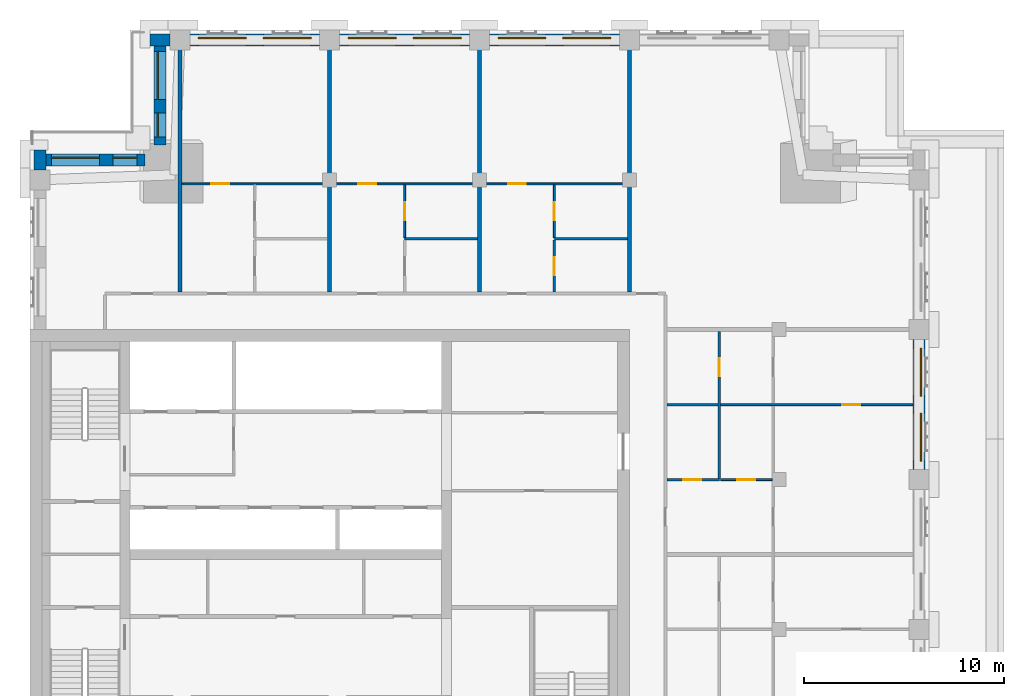
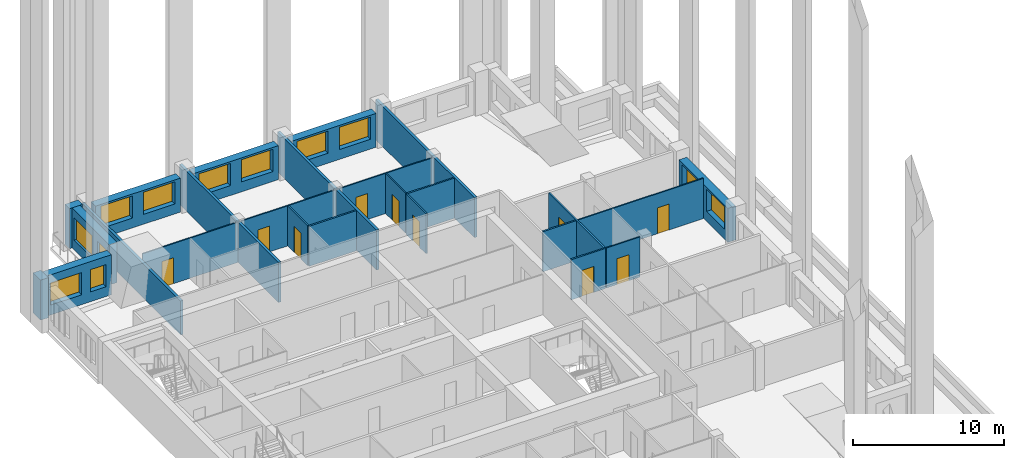
# One storey, part 7 of 12: 23 walls, 12 windows, 10 doors, 22 openings.
"""IFC4 building model written with IfcOpenShell, lengths in metres."""

from ifc_helpers import new_model, si_unit, direction, frame, frame_2d, origin, place, context, subcontext, project, spatial, rectangle, extrude, material, layer, layer_set, type_object, element, fill, save


model = new_model("IFC4")

# Units and contexts
model_context = context("Model", 3, precision=1e-05, world=origin(), true_north=direction((0.0, 1.0)))
body_context = subcontext(model_context, "Body", "Model", "MODEL_VIEW")
ifc_project = project(units=[si_unit("LENGTHUNIT", "METRE"), si_unit("AREAUNIT", "SQUARE_METRE"), si_unit("VOLUMEUNIT", "CUBIC_METRE"), si_unit("PLANEANGLEUNIT", "RADIAN"), si_unit("MASSUNIT", "GRAM", prefix="KILO")], contexts=[model_context])

# Site, building, storey
site_placement = place(None, origin())
site = spatial("IfcSite", under=ifc_project, at=site_placement, CompositionType="ELEMENT")
building_placement = place(site_placement, origin())
building = spatial("IfcBuilding", under=site, at=building_placement, Name="Tamorin Gate", CompositionType="ELEMENT")
storey_placement = place(building_placement, frame((0.0, 0.0, 266.199951171875)))
storey = spatial("IfcBuildingStorey", under=building, at=storey_placement, Name="L66", CompositionType="ELEMENT", Elevation=266.199951171875)

# Wall, openings, windows
ifc_material_1 = material(Name="Precast concrete C40/50", Category="concrete")
ifc_layer_1 = layer(ifc_material_1, 0.60009765625)
ifc_layer_set_1 = layer_set([ifc_layer_1], Name="Precast concrete C40/50")
wall_type_1 = type_object("IfcWallType", Name="Board-marked concrete facade panel 600", PredefinedType="SOLIDWALL", material=ifc_layer_set_1)
wall_1_placement = place(storey_placement, frame((74.5, 75.5, 0.0), z_axis=(0.0, 0.0, 1.0), x_axis=(0.0, 1.0, 0.0)))
wall_1 = element("IfcWall", 1, at=wall_1_placement, inside=storey, type_object=wall_type_1, Name="Facade panel", PredefinedType="SOLIDWALL", context=body_context, shape_type="SweptSolid", body=[
    extrude(rectangle(XDim=6.5, YDim=0.60009765625, at=frame_2d((3.25, 0.0))), origin(), (0.0, 0.0, 1.0), 2.75),
])
opening_1_placement = place(wall_1_placement, frame((0.425048828125, 0.0, 0.800048828125)))
opening_1 = element("IfcOpeningElement", 2, at=opening_1_placement, cuts=wall_1, Name="Opening WN1", PredefinedType="OPENING", context=body_context, shape_type="SweptSolid", body=[
    extrude(rectangle(XDim=2.39990234375, YDim=1.800048828125, at=frame_2d((1.199951171875, 0.89990234375))), frame((0.0, 0.31005859375, 0.0), z_axis=(0.0, -1.0, 0.0), x_axis=(1.0, 0.0, 0.0)), (0.0, 0.0, 1.0), 0.6201171875),
])
opening_2_placement = place(wall_1_placement, frame((3.675048828125, 0.0, 0.800048828125)))
opening_2 = element("IfcOpeningElement", 3, at=opening_2_placement, cuts=wall_1, Name="Opening WN1", PredefinedType="OPENING", context=body_context, shape_type="SweptSolid", body=[
    extrude(rectangle(XDim=2.39990234375, YDim=1.800048828125, at=frame_2d((1.199951171875, 0.89990234375))), frame((0.0, 0.31005859375, 0.0), z_axis=(0.0, -1.0, 0.0), x_axis=(1.0, 0.0, 0.0)), (0.0, 0.0, 1.0), 0.6201171875),
])
ifc_material_2 = material(Name="Clear glass in aluminium frame", Category="aluminium")
window_type_1 = type_object("IfcWindowType", Name="Deep-set window 2400x1800", PartitioningType="SINGLE_PANEL", PredefinedType="WINDOW", material=ifc_material_2)
window_1_placement = place(opening_1_placement, origin())
window_1 = element("IfcWindow", 4, at=window_1_placement, inside=storey, type_object=window_type_1, Name="Deep-set window", OverallHeight=1.800048828125, OverallWidth=2.39990234375, PartitioningType="SINGLE_PANEL", PredefinedType="WINDOW", context=body_context, shape_type="SweptSolid", body=[
    extrude(rectangle(XDim=2.39990234375, YDim=1.800048828125, at=frame_2d((1.199951171875, 0.89990234375))), frame((0.0, -0.070068359375, 0.0), z_axis=(0.0, -1.0, 0.0), x_axis=(1.0, 0.0, 0.0)), (0.0, 0.0, 1.0), 0.06005859375),
])
fill(opening_1, window_1)
window_2_placement = place(opening_2_placement, origin())
window_2 = element("IfcWindow", 5, at=window_2_placement, inside=storey, type_object=window_type_1, Name="Deep-set window", OverallHeight=1.800048828125, OverallWidth=2.39990234375, PartitioningType="SINGLE_PANEL", PredefinedType="WINDOW", context=body_context, shape_type="SweptSolid", body=[
    extrude(rectangle(XDim=2.39990234375, YDim=1.800048828125, at=frame_2d((1.199951171875, 0.89990234375))), frame((0.0, -0.070068359375, 0.0), z_axis=(0.0, -1.0, 0.0), x_axis=(1.0, 0.0, 0.0)), (0.0, 0.0, 1.0), 0.06005859375),
])
fill(opening_2, window_2)

wall_2_placement = place(storey_placement, frame((59.5, 97.0, 0.0), z_axis=(0.0, 0.0, 1.0), x_axis=(-1.0, 0.0, 0.0)))
wall_2 = element("IfcWall", 6, at=wall_2_placement, inside=storey, type_object=wall_type_1, Name="Facade panel", PredefinedType="SOLIDWALL", context=body_context, shape_type="SweptSolid", body=[
    extrude(rectangle(XDim=6.5, YDim=0.60009765625, at=frame_2d((3.25, 0.0))), origin(), (0.0, 0.0, 1.0), 2.75),
])
opening_3_placement = place(wall_2_placement, frame((3.675048828125, 0.0, 0.800048828125)))
opening_3 = element("IfcOpeningElement", 7, at=opening_3_placement, cuts=wall_2, Name="Opening WN1", PredefinedType="OPENING", context=body_context, shape_type="SweptSolid", body=[
    extrude(rectangle(XDim=2.39990234375, YDim=1.800048828125, at=frame_2d((1.199951171875, 0.89990234375))), frame((0.0, 0.31005859375, 0.0), z_axis=(0.0, -1.0, 0.0), x_axis=(1.0, 0.0, 0.0)), (0.0, 0.0, 1.0), 0.6201171875),
])
opening_4_placement = place(wall_2_placement, frame((0.425048828125, 0.0, 0.800048828125)))
opening_4 = element("IfcOpeningElement", 8, at=opening_4_placement, cuts=wall_2, Name="Opening WN1", PredefinedType="OPENING", context=body_context, shape_type="SweptSolid", body=[
    extrude(rectangle(XDim=2.39990234375, YDim=1.800048828125, at=frame_2d((1.199951171875, 0.89990234375))), frame((0.0, 0.31005859375, 0.0), z_axis=(0.0, -1.0, 0.0), x_axis=(1.0, 0.0, 0.0)), (0.0, 0.0, 1.0), 0.6201171875),
])
window_3_placement = place(opening_3_placement, origin())
window_3 = element("IfcWindow", 9, at=window_3_placement, inside=storey, type_object=window_type_1, Name="Deep-set window", OverallHeight=1.800048828125, OverallWidth=2.39990234375, PartitioningType="SINGLE_PANEL", PredefinedType="WINDOW", context=body_context, shape_type="SweptSolid", body=[
    extrude(rectangle(XDim=2.39990234375, YDim=1.800048828125, at=frame_2d((1.199951171875, 0.89990234375))), frame((0.0, -0.070068359375, 0.0), z_axis=(0.0, -1.0, 0.0), x_axis=(1.0, 0.0, 0.0)), (0.0, 0.0, 1.0), 0.06005859375),
])
fill(opening_3, window_3)
window_4_placement = place(opening_4_placement, origin())
window_4 = element("IfcWindow", 10, at=window_4_placement, inside=storey, type_object=window_type_1, Name="Deep-set window", OverallHeight=1.800048828125, OverallWidth=2.39990234375, PartitioningType="SINGLE_PANEL", PredefinedType="WINDOW", context=body_context, shape_type="SweptSolid", body=[
    extrude(rectangle(XDim=2.39990234375, YDim=1.800048828125, at=frame_2d((1.199951171875, 0.89990234375))), frame((0.0, -0.070068359375, 0.0), z_axis=(0.0, -1.0, 0.0), x_axis=(1.0, 0.0, 0.0)), (0.0, 0.0, 1.0), 0.06005859375),
])
fill(opening_4, window_4)

wall_3_placement = place(storey_placement, frame((52.0, 97.0, 0.0), z_axis=(0.0, 0.0, 1.0), x_axis=(-1.0, 0.0, 0.0)))
wall_3 = element("IfcWall", 11, at=wall_3_placement, inside=storey, type_object=wall_type_1, Name="Facade panel", PredefinedType="SOLIDWALL", context=body_context, shape_type="SweptSolid", body=[
    extrude(rectangle(XDim=6.5, YDim=0.60009765625, at=frame_2d((3.25, 0.0))), origin(), (0.0, 0.0, 1.0), 2.75),
])
opening_5_placement = place(wall_3_placement, frame((3.675048828125, 0.0, 0.800048828125)))
opening_5 = element("IfcOpeningElement", 12, at=opening_5_placement, cuts=wall_3, Name="Opening WN1", PredefinedType="OPENING", context=body_context, shape_type="SweptSolid", body=[
    extrude(rectangle(XDim=2.39990234375, YDim=1.800048828125, at=frame_2d((1.199951171875, 0.89990234375))), frame((0.0, 0.31005859375, 0.0), z_axis=(0.0, -1.0, 0.0), x_axis=(1.0, 0.0, 0.0)), (0.0, 0.0, 1.0), 0.6201171875),
])
opening_6_placement = place(wall_3_placement, frame((0.425048828125, 0.0, 0.800048828125)))
opening_6 = element("IfcOpeningElement", 13, at=opening_6_placement, cuts=wall_3, Name="Opening WN1", PredefinedType="OPENING", context=body_context, shape_type="SweptSolid", body=[
    extrude(rectangle(XDim=2.39990234375, YDim=1.800048828125, at=frame_2d((1.199951171875, 0.89990234375))), frame((0.0, 0.31005859375, 0.0), z_axis=(0.0, -1.0, 0.0), x_axis=(1.0, 0.0, 0.0)), (0.0, 0.0, 1.0), 0.6201171875),
])
window_5_placement = place(opening_5_placement, origin())
window_5 = element("IfcWindow", 14, at=window_5_placement, inside=storey, type_object=window_type_1, Name="Deep-set window", OverallHeight=1.800048828125, OverallWidth=2.39990234375, PartitioningType="SINGLE_PANEL", PredefinedType="WINDOW", context=body_context, shape_type="SweptSolid", body=[
    extrude(rectangle(XDim=2.39990234375, YDim=1.800048828125, at=frame_2d((1.199951171875, 0.89990234375))), frame((0.0, -0.070068359375, 0.0), z_axis=(0.0, -1.0, 0.0), x_axis=(1.0, 0.0, 0.0)), (0.0, 0.0, 1.0), 0.06005859375),
])
fill(opening_5, window_5)
window_6_placement = place(opening_6_placement, origin())
window_6 = element("IfcWindow", 15, at=window_6_placement, inside=storey, type_object=window_type_1, Name="Deep-set window", OverallHeight=1.800048828125, OverallWidth=2.39990234375, PartitioningType="SINGLE_PANEL", PredefinedType="WINDOW", context=body_context, shape_type="SweptSolid", body=[
    extrude(rectangle(XDim=2.39990234375, YDim=1.800048828125, at=frame_2d((1.199951171875, 0.89990234375))), frame((0.0, -0.070068359375, 0.0), z_axis=(0.0, -1.0, 0.0), x_axis=(1.0, 0.0, 0.0)), (0.0, 0.0, 1.0), 0.06005859375),
])
fill(opening_6, window_6)

wall_4_placement = place(storey_placement, frame((44.5, 97.0, 0.0), z_axis=(0.0, 0.0, 1.0), x_axis=(-1.0, 0.0, 0.0)))
wall_4 = element("IfcWall", 16, at=wall_4_placement, inside=storey, type_object=wall_type_1, Name="Facade panel", PredefinedType="SOLIDWALL", context=body_context, shape_type="SweptSolid", body=[
    extrude(rectangle(XDim=6.5, YDim=0.60009765625, at=frame_2d((3.25, 0.0))), origin(), (0.0, 0.0, 1.0), 2.75),
])
opening_7_placement = place(wall_4_placement, frame((3.675048828125, 0.0, 0.800048828125)))
opening_7 = element("IfcOpeningElement", 17, at=opening_7_placement, cuts=wall_4, Name="Opening WN1", PredefinedType="OPENING", context=body_context, shape_type="SweptSolid", body=[
    extrude(rectangle(XDim=2.39990234375, YDim=1.800048828125, at=frame_2d((1.199951171875, 0.89990234375))), frame((0.0, 0.31005859375, 0.0), z_axis=(0.0, -1.0, 0.0), x_axis=(1.0, 0.0, 0.0)), (0.0, 0.0, 1.0), 0.6201171875),
])
opening_8_placement = place(wall_4_placement, frame((0.425048828125, 0.0, 0.800048828125)))
opening_8 = element("IfcOpeningElement", 18, at=opening_8_placement, cuts=wall_4, Name="Opening WN1", PredefinedType="OPENING", context=body_context, shape_type="SweptSolid", body=[
    extrude(rectangle(XDim=2.39990234375, YDim=1.800048828125, at=frame_2d((1.199951171875, 0.89990234375))), frame((0.0, 0.31005859375, 0.0), z_axis=(0.0, -1.0, 0.0), x_axis=(1.0, 0.0, 0.0)), (0.0, 0.0, 1.0), 0.6201171875),
])
window_7_placement = place(opening_7_placement, origin())
window_7 = element("IfcWindow", 19, at=window_7_placement, inside=storey, type_object=window_type_1, Name="Deep-set window", OverallHeight=1.800048828125, OverallWidth=2.39990234375, PartitioningType="SINGLE_PANEL", PredefinedType="WINDOW", context=body_context, shape_type="SweptSolid", body=[
    extrude(rectangle(XDim=2.39990234375, YDim=1.800048828125, at=frame_2d((1.199951171875, 0.89990234375))), frame((0.0, -0.070068359375, 0.0), z_axis=(0.0, -1.0, 0.0), x_axis=(1.0, 0.0, 0.0)), (0.0, 0.0, 1.0), 0.06005859375),
])
fill(opening_7, window_7)
window_8_placement = place(opening_8_placement, origin())
window_8 = element("IfcWindow", 20, at=window_8_placement, inside=storey, type_object=window_type_1, Name="Deep-set window", OverallHeight=1.800048828125, OverallWidth=2.39990234375, PartitioningType="SINGLE_PANEL", PredefinedType="WINDOW", context=body_context, shape_type="SweptSolid", body=[
    extrude(rectangle(XDim=2.39990234375, YDim=1.800048828125, at=frame_2d((1.199951171875, 0.89990234375))), frame((0.0, -0.070068359375, 0.0), z_axis=(0.0, -1.0, 0.0), x_axis=(1.0, 0.0, 0.0)), (0.0, 0.0, 1.0), 0.06005859375),
])
fill(opening_8, window_8)

# Wall
wall_5_placement = place(storey_placement, frame((37.0, 97.0, 0.0), z_axis=(0.0, 0.0, 1.0), x_axis=(-1.0, 0.0, 0.0)))
element("IfcWall", 21, at=wall_5_placement, inside=storey, type_object=wall_type_1, Name="Facade panel", PredefinedType="SOLIDWALL", context=body_context, shape_type="SweptSolid", body=[
    extrude(rectangle(XDim=1.0, YDim=0.60009765625, at=frame_2d((0.5, 0.0))), origin(), (0.0, 0.0, 1.0), 3.25),
])

# Wall, openings, windows
wall_6_placement = place(storey_placement, frame((36.5, 96.699951171875, 0.0), z_axis=(0.0, 0.0, 1.0), x_axis=(0.0, -1.0, 0.0)))
wall_6 = element("IfcWall", 22, at=wall_6_placement, inside=storey, type_object=wall_type_1, Name="Facade panel", PredefinedType="SOLIDWALL", context=body_context, shape_type="SweptSolid", body=[
    extrude(rectangle(XDim=4.949951171875, YDim=0.60009765625, at=frame_2d((2.47509765625, 0.0))), origin(), (0.0, 0.0, 1.0), 3.25),
])
opening_9_placement = place(wall_6_placement, frame((3.35009765625, 0.0, 0.800048828125)))
opening_9 = element("IfcOpeningElement", 23, at=opening_9_placement, cuts=wall_6, Name="Opening WN3", PredefinedType="OPENING", context=body_context, shape_type="SweptSolid", body=[
    extrude(rectangle(XDim=1.199951171875, YDim=1.800048828125, at=frame_2d((0.60009765625, 0.89990234375))), frame((0.0, 0.31005859375, 0.0), z_axis=(0.0, -1.0, 0.0), x_axis=(1.0, 0.0, 0.0)), (0.0, 0.0, 1.0), 0.6201171875),
])
opening_10_placement = place(wall_6_placement, frame((0.27490234375, 0.0, 0.800048828125)))
opening_10 = element("IfcOpeningElement", 24, at=opening_10_placement, cuts=wall_6, Name="Opening WN1", PredefinedType="OPENING", context=body_context, shape_type="SweptSolid", body=[
    extrude(rectangle(XDim=2.39990234375, YDim=1.800048828125, at=frame_2d((1.199951171875, 0.89990234375))), frame((0.0, 0.31005859375, 0.0), z_axis=(0.0, -1.0, 0.0), x_axis=(1.0, 0.0, 0.0)), (0.0, 0.0, 1.0), 0.6201171875),
])
window_type_2 = type_object("IfcWindowType", Name="Deep-set window 1200x1800", PartitioningType="SINGLE_PANEL", PredefinedType="WINDOW", material=ifc_material_2)
window_9_placement = place(opening_9_placement, origin())
window_9 = element("IfcWindow", 25, at=window_9_placement, inside=storey, type_object=window_type_2, Name="Deep-set window", OverallHeight=1.800048828125, OverallWidth=1.199951171875, PartitioningType="SINGLE_PANEL", PredefinedType="WINDOW", context=body_context, shape_type="SweptSolid", body=[
    extrude(rectangle(XDim=1.199951171875, YDim=1.800048828125, at=frame_2d((0.60009765625, 0.89990234375))), frame((0.0, -0.070068359375, 0.0), z_axis=(0.0, -1.0, 0.0), x_axis=(1.0, 0.0, 0.0)), (0.0, 0.0, 1.0), 0.06005859375),
])
fill(opening_9, window_9)
window_10_placement = place(opening_10_placement, origin())
window_10 = element("IfcWindow", 26, at=window_10_placement, inside=storey, type_object=window_type_1, Name="Deep-set window", OverallHeight=1.800048828125, OverallWidth=2.39990234375, PartitioningType="SINGLE_PANEL", PredefinedType="WINDOW", context=body_context, shape_type="SweptSolid", body=[
    extrude(rectangle(XDim=2.39990234375, YDim=1.800048828125, at=frame_2d((1.199951171875, 0.89990234375))), frame((0.0, -0.070068359375, 0.0), z_axis=(0.0, -1.0, 0.0), x_axis=(1.0, 0.0, 0.0)), (0.0, 0.0, 1.0), 0.06005859375),
])
fill(opening_10, window_10)

wall_7_placement = place(storey_placement, frame((35.75, 91.0, 0.0), z_axis=(0.0, 0.0, 1.0), x_axis=(-1.0, 0.0, 0.0)))
wall_7 = element("IfcWall", 27, at=wall_7_placement, inside=storey, type_object=wall_type_1, Name="Facade panel", PredefinedType="SOLIDWALL", context=body_context, shape_type="SweptSolid", body=[
    extrude(rectangle(XDim=4.949951171875, YDim=0.60009765625, at=frame_2d((2.47509765625, 0.0))), origin(), (0.0, 0.0, 1.0), 3.25),
])
opening_11_placement = place(wall_7_placement, frame((2.27490234375, 0.0, 0.800048828125)))
opening_11 = element("IfcOpeningElement", 28, at=opening_11_placement, cuts=wall_7, Name="Opening WN1", PredefinedType="OPENING", context=body_context, shape_type="SweptSolid", body=[
    extrude(rectangle(XDim=2.39990234375, YDim=1.800048828125, at=frame_2d((1.199951171875, 0.89990234375))), frame((0.0, 0.31005859375, 0.0), z_axis=(0.0, -1.0, 0.0), x_axis=(1.0, 0.0, 0.0)), (0.0, 0.0, 1.0), 0.6201171875),
])
opening_12_placement = place(wall_7_placement, frame((0.39990234375, 0.0, 0.800048828125)))
opening_12 = element("IfcOpeningElement", 29, at=opening_12_placement, cuts=wall_7, Name="Opening WN3", PredefinedType="OPENING", context=body_context, shape_type="SweptSolid", body=[
    extrude(rectangle(XDim=1.199951171875, YDim=1.800048828125, at=frame_2d((0.60009765625, 0.89990234375))), frame((0.0, 0.31005859375, 0.0), z_axis=(0.0, -1.0, 0.0), x_axis=(1.0, 0.0, 0.0)), (0.0, 0.0, 1.0), 0.6201171875),
])
window_11_placement = place(opening_12_placement, origin())
window_11 = element("IfcWindow", 30, at=window_11_placement, inside=storey, type_object=window_type_2, Name="Deep-set window", OverallHeight=1.800048828125, OverallWidth=1.199951171875, PartitioningType="SINGLE_PANEL", PredefinedType="WINDOW", context=body_context, shape_type="SweptSolid", body=[
    extrude(rectangle(XDim=1.199951171875, YDim=1.800048828125, at=frame_2d((0.60009765625, 0.89990234375))), frame((0.0, -0.070068359375, 0.0), z_axis=(0.0, -1.0, 0.0), x_axis=(1.0, 0.0, 0.0)), (0.0, 0.0, 1.0), 0.06005859375),
])
fill(opening_12, window_11)
window_12_placement = place(opening_11_placement, origin())
window_12 = element("IfcWindow", 31, at=window_12_placement, inside=storey, type_object=window_type_1, Name="Deep-set window", OverallHeight=1.800048828125, OverallWidth=2.39990234375, PartitioningType="SINGLE_PANEL", PredefinedType="WINDOW", context=body_context, shape_type="SweptSolid", body=[
    extrude(rectangle(XDim=2.39990234375, YDim=1.800048828125, at=frame_2d((1.199951171875, 0.89990234375))), frame((0.0, -0.070068359375, 0.0), z_axis=(0.0, -1.0, 0.0), x_axis=(1.0, 0.0, 0.0)), (0.0, 0.0, 1.0), 0.06005859375),
])
fill(opening_11, window_12)

# Walls
wall_8_placement = place(storey_placement, frame((30.5, 91.5, 0.0), z_axis=(0.0, 0.0, 1.0), x_axis=(0.0, -1.0, 0.0)))
element("IfcWall", 32, at=wall_8_placement, inside=storey, type_object=wall_type_1, Name="Facade panel", PredefinedType="SOLIDWALL", context=body_context, shape_type="SweptSolid", body=[
    extrude(rectangle(XDim=1.0, YDim=0.60009765625, at=frame_2d((0.5, 0.0))), origin(), (0.0, 0.0, 1.0), 3.25),
])
ifc_material_3 = material(Name="Gypsum board partition")
ifc_layer_2 = layer(ifc_material_3, 0.199951171875)
ifc_layer_set_2 = layer_set([ifc_layer_2], Name="Demising wall 200")
wall_type_2 = type_object("IfcWallType", Name="Demising wall 200", PredefinedType="PARTITIONING", material=ifc_layer_set_2)
wall_9_placement = place(storey_placement, frame((37.5, 84.375, 0.0), z_axis=(0.0, 0.0, 1.0), x_axis=(0.0, 1.0, 0.0)))
element("IfcWall", 33, at=wall_9_placement, inside=storey, type_object=wall_type_2, Name="Demising wall 200", PredefinedType="PARTITIONING", context=body_context, shape_type="SweptSolid", body=[
    extrude(rectangle(XDim=13.125, YDim=0.199951171875, at=frame_2d((6.5625, 0.0))), origin(), (0.0, 0.0, 1.0), 2.75),
])
for number, where, z_axis, x_axis, name in (
    (34, (45.0, 84.375, 0.0), (0.0, 0.0, 1.0), (0.0, 1.0, 0.0), "Demising wall 200"),
    (35, (52.5, 84.375, 0.0), (0.0, 0.0, 1.0), (0.0, 1.0, 0.0), "Demising wall 200"),
    (36, (60.0, 84.375, 0.0), (0.0, 0.0, 1.0), (0.0, 1.0, 0.0), "Demising wall 200"),
):
    element("IfcWall", number, at=place(storey_placement, frame(where, z_axis=z_axis, x_axis=x_axis)), inside=storey, type_object=wall_type_2, Name=name, PredefinedType="PARTITIONING", context=body_context, shape_type="SweptSolid", body=[
        extrude(rectangle(XDim=13.125, YDim=0.199951171875, at=frame_2d((6.5625, 0.0))), origin(), (0.0, 0.0, 1.0), 3.25),
    ])

# Wall, opening, door
ifc_layer_3 = layer(ifc_material_3, 0.10009765625)
ifc_layer_set_3 = layer_set([ifc_layer_3], Name="Room partition 100")
wall_type_3 = type_object("IfcWallType", Name="Room partition 100", PredefinedType="PARTITIONING", material=ifc_layer_set_3)
wall_10_placement = place(storey_placement, frame((64.5625, 75.0, 0.0), z_axis=(0.0, 0.0, 1.0), x_axis=(1.0, 0.0, 0.0)))
wall_10 = element("IfcWall", 37, at=wall_10_placement, inside=storey, type_object=wall_type_3, Name="Room partition 100", PredefinedType="PARTITIONING", context=body_context, shape_type="SweptSolid", body=[
    extrude(rectangle(XDim=2.58740234375, YDim=0.10009765625, at=frame_2d((1.293701171875, 0.0))), origin(), (0.0, 0.0, 1.0), 3.25),
])
opening_13_placement = place(wall_10_placement, frame((0.83740234375, 0.0, 0.0)))
opening_13 = element("IfcOpeningElement", 38, at=opening_13_placement, cuts=wall_10, Name="Opening DTF6037", PredefinedType="OPENING", context=body_context, shape_type="SweptSolid", body=[
    extrude(rectangle(XDim=0.89990234375, YDim=2.10009765625, at=frame_2d((0.449951171875, 1.050048828125))), frame((0.0, 0.06005859375, 0.0), z_axis=(0.0, -1.0, 0.0), x_axis=(1.0, 0.0, 0.0)), (0.0, 0.0, 1.0), 0.1201171875),
])
ifc_material_4 = material(Name="Timber door leaf", Category="wood")
door_type = type_object("IfcDoorType", Name="Door 900 x 2100", OperationType="NOTDEFINED", PredefinedType="DOOR", material=ifc_material_4)
door_1_placement = place(opening_13_placement, origin())
door_1 = element("IfcDoor", 39, at=door_1_placement, inside=storey, type_object=door_type, Name="Door DTF6037", OperationType="SINGLE_SWING_LEFT", OverallHeight=2.10009765625, OverallWidth=0.89990234375, PredefinedType="DOOR", context=body_context, shape_type="SweptSolid", body=[
    extrude(rectangle(XDim=0.89990234375, YDim=2.10009765625, at=frame_2d((0.449951171875, 1.050048828125))), frame((0.0, 0.02490234375, 0.0), z_axis=(0.0, -1.0, 0.0), x_axis=(1.0, 0.0, 0.0)), (0.0, 0.0, 1.0), 0.050048828125),
])
fill(opening_13, door_1)

wall_11_placement = place(storey_placement, frame((64.5625, 78.75, 0.0), z_axis=(0.0, 0.0, 1.0), x_axis=(1.0, 0.0, 0.0)))
wall_11 = element("IfcWall", 40, at=wall_11_placement, inside=storey, type_object=wall_type_3, Name="Room partition 100", PredefinedType="PARTITIONING", context=body_context, shape_type="SweptSolid", body=[
    extrude(rectangle(XDim=9.62744140625, YDim=0.10009765625, at=frame_2d((4.813720703125, 0.0))), origin(), (0.0, 0.0, 1.0), 3.25),
])
opening_14_placement = place(wall_11_placement, frame((6.08740234375, 0.0, 0.0)))
opening_14 = element("IfcOpeningElement", 41, at=opening_14_placement, cuts=wall_11, Name="Opening DTF6041", PredefinedType="OPENING", context=body_context, shape_type="SweptSolid", body=[
    extrude(rectangle(XDim=0.89990234375, YDim=2.10009765625, at=frame_2d((0.449951171875, 1.050048828125))), frame((0.0, 0.06005859375, 0.0), z_axis=(0.0, -1.0, 0.0), x_axis=(1.0, 0.0, 0.0)), (0.0, 0.0, 1.0), 0.1201171875),
])
door_2_placement = place(opening_14_placement, origin())
door_2 = element("IfcDoor", 42, at=door_2_placement, inside=storey, type_object=door_type, Name="Door DTF6041", OperationType="SINGLE_SWING_RIGHT", OverallHeight=2.10009765625, OverallWidth=0.89990234375, PredefinedType="DOOR", context=body_context, shape_type="SweptSolid", body=[
    extrude(rectangle(XDim=0.89990234375, YDim=2.10009765625, at=frame_2d((0.449951171875, 1.050048828125))), frame((0.0, 0.02490234375, 0.0), z_axis=(0.0, -1.0, 0.0), x_axis=(1.0, 0.0, 0.0)), (0.0, 0.0, 1.0), 0.050048828125),
])
fill(opening_14, door_2)

# Wall, openings, doors
wall_12_placement = place(storey_placement, frame((37.60009765625, 89.800048828125, 0.0), z_axis=(0.0, 0.0, 1.0), x_axis=(1.0, 0.0, 0.0)))
wall_12 = element("IfcWall", 43, at=wall_12_placement, inside=storey, type_object=wall_type_3, Name="Room partition 100", PredefinedType="PARTITIONING", context=body_context, shape_type="SweptSolid", body=[
    extrude(rectangle(XDim=22.2998046875, YDim=0.10009765625, at=frame_2d((11.14990234375, 0.0))), origin(), (0.0, 0.0, 1.0), 3.25),
])
opening_15_placement = place(wall_12_placement, frame((1.47509765625, 0.0, 0.0)))
opening_15 = element("IfcOpeningElement", 44, at=opening_15_placement, cuts=wall_12, Name="Opening DTF6016", PredefinedType="OPENING", context=body_context, shape_type="SweptSolid", body=[
    extrude(rectangle(XDim=0.89990234375, YDim=2.10009765625, at=frame_2d((0.449951171875, 1.050048828125))), frame((0.0, 0.06005859375, 0.0), z_axis=(0.0, -1.0, 0.0), x_axis=(1.0, 0.0, 0.0)), (0.0, 0.0, 1.0), 0.1201171875),
])
opening_16_placement = place(wall_12_placement, frame((8.824951171875, 0.0, 0.0)))
opening_16 = element("IfcOpeningElement", 45, at=opening_16_placement, cuts=wall_12, Name="Opening DTF6020", PredefinedType="OPENING", context=body_context, shape_type="SweptSolid", body=[
    extrude(rectangle(XDim=0.89990234375, YDim=2.10009765625, at=frame_2d((0.449951171875, 1.050048828125))), frame((0.0, 0.06005859375, 0.0), z_axis=(0.0, -1.0, 0.0), x_axis=(1.0, 0.0, 0.0)), (0.0, 0.0, 1.0), 0.1201171875),
])
opening_17_placement = place(wall_12_placement, frame((16.324951171875, 0.0, 0.0)))
opening_17 = element("IfcOpeningElement", 46, at=opening_17_placement, cuts=wall_12, Name="Opening DTF6024", PredefinedType="OPENING", context=body_context, shape_type="SweptSolid", body=[
    extrude(rectangle(XDim=0.89990234375, YDim=2.10009765625, at=frame_2d((0.449951171875, 1.050048828125))), frame((0.0, 0.06005859375, 0.0), z_axis=(0.0, -1.0, 0.0), x_axis=(1.0, 0.0, 0.0)), (0.0, 0.0, 1.0), 0.1201171875),
])
door_3_placement = place(opening_15_placement, origin())
door_3 = element("IfcDoor", 47, at=door_3_placement, inside=storey, type_object=door_type, Name="Door DTF6016", OperationType="SINGLE_SWING_LEFT", OverallHeight=2.10009765625, OverallWidth=0.89990234375, PredefinedType="DOOR", context=body_context, shape_type="SweptSolid", body=[
    extrude(rectangle(XDim=0.89990234375, YDim=2.10009765625, at=frame_2d((0.449951171875, 1.050048828125))), frame((0.0, 0.02490234375, 0.0), z_axis=(0.0, -1.0, 0.0), x_axis=(1.0, 0.0, 0.0)), (0.0, 0.0, 1.0), 0.050048828125),
])
fill(opening_15, door_3)
door_4_placement = place(opening_16_placement, origin())
door_4 = element("IfcDoor", 48, at=door_4_placement, inside=storey, type_object=door_type, Name="Door DTF6020", OperationType="SINGLE_SWING_RIGHT", OverallHeight=2.10009765625, OverallWidth=0.89990234375, PredefinedType="DOOR", context=body_context, shape_type="SweptSolid", body=[
    extrude(rectangle(XDim=0.89990234375, YDim=2.10009765625, at=frame_2d((0.449951171875, 1.050048828125))), frame((0.0, 0.02490234375, 0.0), z_axis=(0.0, -1.0, 0.0), x_axis=(1.0, 0.0, 0.0)), (0.0, 0.0, 1.0), 0.050048828125),
])
fill(opening_16, door_4)
door_5_placement = place(opening_17_placement, origin())
door_5 = element("IfcDoor", 49, at=door_5_placement, inside=storey, type_object=door_type, Name="Door DTF6024", OperationType="SINGLE_SWING_RIGHT", OverallHeight=2.10009765625, OverallWidth=0.89990234375, PredefinedType="DOOR", context=body_context, shape_type="SweptSolid", body=[
    extrude(rectangle(XDim=0.89990234375, YDim=2.10009765625, at=frame_2d((0.449951171875, 1.050048828125))), frame((0.0, 0.02490234375, 0.0), z_axis=(0.0, -1.0, 0.0), x_axis=(1.0, 0.0, 0.0)), (0.0, 0.0, 1.0), 0.050048828125),
])
fill(opening_17, door_5)

# Wall, opening, door
wall_13_placement = place(storey_placement, frame((48.75, 87.112548828125, 0.0), z_axis=(0.0, 0.0, 1.0), x_axis=(0.0, 1.0, 0.0)))
wall_13 = element("IfcWall", 50, at=wall_13_placement, inside=storey, type_object=wall_type_3, Name="Room partition 100", PredefinedType="PARTITIONING", context=body_context, shape_type="SweptSolid", body=[
    extrude(rectangle(XDim=2.637451171875, YDim=0.10009765625, at=frame_2d((1.31884765625, 0.0))), origin(), (0.0, 0.0, 1.0), 3.25),
])
opening_18_placement = place(wall_13_placement, frame((0.862548828125, 0.0, 0.0)))
opening_18 = element("IfcOpeningElement", 51, at=opening_18_placement, cuts=wall_13, Name="Opening DTF6021", PredefinedType="OPENING", context=body_context, shape_type="SweptSolid", body=[
    extrude(rectangle(XDim=0.89990234375, YDim=2.10009765625, at=frame_2d((0.449951171875, 1.050048828125))), frame((0.0, 0.06005859375, 0.0), z_axis=(0.0, -1.0, 0.0), x_axis=(1.0, 0.0, 0.0)), (0.0, 0.0, 1.0), 0.1201171875),
])
door_6_placement = place(opening_18_placement, origin())
door_6 = element("IfcDoor", 52, at=door_6_placement, inside=storey, type_object=door_type, Name="Door DTF6021", OperationType="SINGLE_SWING_RIGHT", OverallHeight=2.10009765625, OverallWidth=0.89990234375, PredefinedType="DOOR", context=body_context, shape_type="SweptSolid", body=[
    extrude(rectangle(XDim=0.89990234375, YDim=2.10009765625, at=frame_2d((0.449951171875, 1.050048828125))), frame((0.0, 0.02490234375, 0.0), z_axis=(0.0, -1.0, 0.0), x_axis=(1.0, 0.0, 0.0)), (0.0, 0.0, 1.0), 0.050048828125),
])
fill(opening_18, door_6)

wall_14_placement = place(storey_placement, frame((56.25, 87.112548828125, 0.0), z_axis=(0.0, 0.0, 1.0), x_axis=(0.0, 1.0, 0.0)))
wall_14 = element("IfcWall", 53, at=wall_14_placement, inside=storey, type_object=wall_type_3, Name="Room partition 100", PredefinedType="PARTITIONING", context=body_context, shape_type="SweptSolid", body=[
    extrude(rectangle(XDim=2.637451171875, YDim=0.10009765625, at=frame_2d((1.31884765625, 0.0))), origin(), (0.0, 0.0, 1.0), 3.25),
])
opening_19_placement = place(wall_14_placement, frame((0.862548828125, 0.0, 0.0)))
opening_19 = element("IfcOpeningElement", 54, at=opening_19_placement, cuts=wall_14, Name="Opening DTF6025", PredefinedType="OPENING", context=body_context, shape_type="SweptSolid", body=[
    extrude(rectangle(XDim=0.89990234375, YDim=2.10009765625, at=frame_2d((0.449951171875, 1.050048828125))), frame((0.0, 0.06005859375, 0.0), z_axis=(0.0, -1.0, 0.0), x_axis=(1.0, 0.0, 0.0)), (0.0, 0.0, 1.0), 0.1201171875),
])
door_7_placement = place(opening_19_placement, origin())
door_7 = element("IfcDoor", 55, at=door_7_placement, inside=storey, type_object=door_type, Name="Door DTF6025", OperationType="SINGLE_SWING_RIGHT", OverallHeight=2.10009765625, OverallWidth=0.89990234375, PredefinedType="DOOR", context=body_context, shape_type="SweptSolid", body=[
    extrude(rectangle(XDim=0.89990234375, YDim=2.10009765625, at=frame_2d((0.449951171875, 1.050048828125))), frame((0.0, 0.02490234375, 0.0), z_axis=(0.0, -1.0, 0.0), x_axis=(1.0, 0.0, 0.0)), (0.0, 0.0, 1.0), 0.050048828125),
])
fill(opening_19, door_7)

ifc_layer_4 = layer(ifc_material_3, 0.125)
ifc_layer_set_4 = layer_set([ifc_layer_4], Name="Wet wall 125")
wall_type_4 = type_object("IfcWallType", Name="Wet wall 125", PredefinedType="PARTITIONING", material=ifc_layer_set_4)
wall_15_placement = place(storey_placement, frame((61.875, 75.0, 0.0), z_axis=(0.0, 0.0, 1.0), x_axis=(1.0, 0.0, 0.0)))
wall_15 = element("IfcWall", 56, at=wall_15_placement, inside=storey, type_object=wall_type_4, Name="Wet wall 125", PredefinedType="PARTITIONING", context=body_context, shape_type="SweptSolid", body=[
    extrude(rectangle(XDim=2.625, YDim=0.125, at=frame_2d((1.3125, 0.0))), origin(), (0.0, 0.0, 1.0), 3.25),
])
opening_20_placement = place(wall_15_placement, frame((0.824951171875, 0.0, 0.0)))
opening_20 = element("IfcOpeningElement", 57, at=opening_20_placement, cuts=wall_15, Name="Opening DTF6038", PredefinedType="OPENING", context=body_context, shape_type="SweptSolid", body=[
    extrude(rectangle(XDim=0.89990234375, YDim=2.10009765625, at=frame_2d((0.449951171875, 1.050048828125))), frame((0.0, 0.072509765625, 0.0), z_axis=(0.0, -1.0, 0.0), x_axis=(1.0, 0.0, 0.0)), (0.0, 0.0, 1.0), 0.14501953125),
])
door_8_placement = place(opening_20_placement, origin())
door_8 = element("IfcDoor", 58, at=door_8_placement, inside=storey, type_object=door_type, Name="Door DTF6038", OperationType="SINGLE_SWING_LEFT", OverallHeight=2.10009765625, OverallWidth=0.89990234375, PredefinedType="DOOR", context=body_context, shape_type="SweptSolid", body=[
    extrude(rectangle(XDim=0.89990234375, YDim=2.10009765625, at=frame_2d((0.449951171875, 1.050048828125))), frame((0.0, 0.02490234375, 0.0), z_axis=(0.0, -1.0, 0.0), x_axis=(1.0, 0.0, 0.0)), (0.0, 0.0, 1.0), 0.050048828125),
])
fill(opening_20, door_8)

# Walls
wall_16_placement = place(storey_placement, frame((61.875, 78.75, 0.0), z_axis=(0.0, 0.0, 1.0), x_axis=(1.0, 0.0, 0.0)))
element("IfcWall", 59, at=wall_16_placement, inside=storey, type_object=wall_type_4, Name="Wet wall 125", PredefinedType="PARTITIONING", context=body_context, shape_type="SweptSolid", body=[
    extrude(rectangle(XDim=2.5625, YDim=0.125, at=frame_2d((1.28125, 0.0))), origin(), (0.0, 0.0, 1.0), 3.25),
])
for number, where, z_axis, x_axis, name in (
    (60, (48.75, 87.050048828125, 0.0), (0.0, 0.0, 1.0), (1.0, 0.0, 0.0), "Wet wall 125"),
    (61, (56.25, 87.050048828125, 0.0), (0.0, 0.0, 1.0), (1.0, 0.0, 0.0), "Wet wall 125"),
):
    element("IfcWall", number, at=place(storey_placement, frame(where, z_axis=z_axis, x_axis=x_axis)), inside=storey, type_object=wall_type_4, Name=name, PredefinedType="PARTITIONING", context=body_context, shape_type="SweptSolid", body=[
        extrude(rectangle(XDim=3.64990234375, YDim=0.125, at=frame_2d((1.824951171875, 0.0))), origin(), (0.0, 0.0, 1.0), 3.25),
    ])

# Wall, opening, door
wall_17_placement = place(storey_placement, frame((56.25, 84.375, 0.0), z_axis=(0.0, 0.0, 1.0), x_axis=(0.0, 1.0, 0.0)))
wall_17 = element("IfcWall", 62, at=wall_17_placement, inside=storey, type_object=wall_type_4, Name="Wet wall 125", PredefinedType="PARTITIONING", context=body_context, shape_type="SweptSolid", body=[
    extrude(rectangle(XDim=2.612548828125, YDim=0.125, at=frame_2d((1.30615234375, 0.0))), origin(), (0.0, 0.0, 1.0), 3.25),
])
opening_21_placement = place(wall_17_placement, frame((0.85009765625, 0.0, 0.0)))
opening_21 = element("IfcOpeningElement", 63, at=opening_21_placement, cuts=wall_17, Name="Opening DTF6026", PredefinedType="OPENING", context=body_context, shape_type="SweptSolid", body=[
    extrude(rectangle(XDim=0.89990234375, YDim=2.10009765625, at=frame_2d((0.449951171875, 1.050048828125))), frame((0.0, 0.072509765625, 0.0), z_axis=(0.0, -1.0, 0.0), x_axis=(1.0, 0.0, 0.0)), (0.0, 0.0, 1.0), 0.14501953125),
])
door_9_placement = place(opening_21_placement, origin())
door_9 = element("IfcDoor", 64, at=door_9_placement, inside=storey, type_object=door_type, Name="Door DTF6026", OperationType="SINGLE_SWING_RIGHT", OverallHeight=2.10009765625, OverallWidth=0.89990234375, PredefinedType="DOOR", context=body_context, shape_type="SweptSolid", body=[
    extrude(rectangle(XDim=0.89990234375, YDim=2.10009765625, at=frame_2d((0.449951171875, 1.050048828125))), frame((0.0, 0.02490234375, 0.0), z_axis=(0.0, -1.0, 0.0), x_axis=(1.0, 0.0, 0.0)), (0.0, 0.0, 1.0), 0.050048828125),
])
fill(opening_21, door_9)

wall_18_placement = place(storey_placement, frame((64.5, 75.0625, 0.0), z_axis=(0.0, 0.0, 1.0), x_axis=(0.0, 1.0, 0.0)))
wall_18 = element("IfcWall", 65, at=wall_18_placement, inside=storey, type_object=wall_type_4, Name="Wet wall 125", PredefinedType="PARTITIONING", context=body_context, shape_type="SweptSolid", body=[
    extrude(rectangle(XDim=7.33740234375, YDim=0.125, at=frame_2d((3.668701171875, 0.0))), origin(), (0.0, 0.0, 1.0), 3.25),
])
opening_22_placement = place(wall_18_placement, frame((5.112548828125, 0.0, 0.0)))
opening_22 = element("IfcOpeningElement", 66, at=opening_22_placement, cuts=wall_18, Name="Opening DTF6040", PredefinedType="OPENING", context=body_context, shape_type="SweptSolid", body=[
    extrude(rectangle(XDim=0.89990234375, YDim=2.10009765625, at=frame_2d((0.449951171875, 1.050048828125))), frame((0.0, 0.072509765625, 0.0), z_axis=(0.0, -1.0, 0.0), x_axis=(1.0, 0.0, 0.0)), (0.0, 0.0, 1.0), 0.14501953125),
])
door_10_placement = place(opening_22_placement, origin())
door_10 = element("IfcDoor", 67, at=door_10_placement, inside=storey, type_object=door_type, Name="Door DTF6040", OperationType="SINGLE_SWING_LEFT", OverallHeight=2.10009765625, OverallWidth=0.89990234375, PredefinedType="DOOR", context=body_context, shape_type="SweptSolid", body=[
    extrude(rectangle(XDim=0.89990234375, YDim=2.10009765625, at=frame_2d((0.449951171875, 1.050048828125))), frame((0.0, 0.02490234375, 0.0), z_axis=(0.0, -1.0, 0.0), x_axis=(1.0, 0.0, 0.0)), (0.0, 0.0, 1.0), 0.050048828125),
])
fill(opening_22, door_10)

save(model, "model.ifc")
